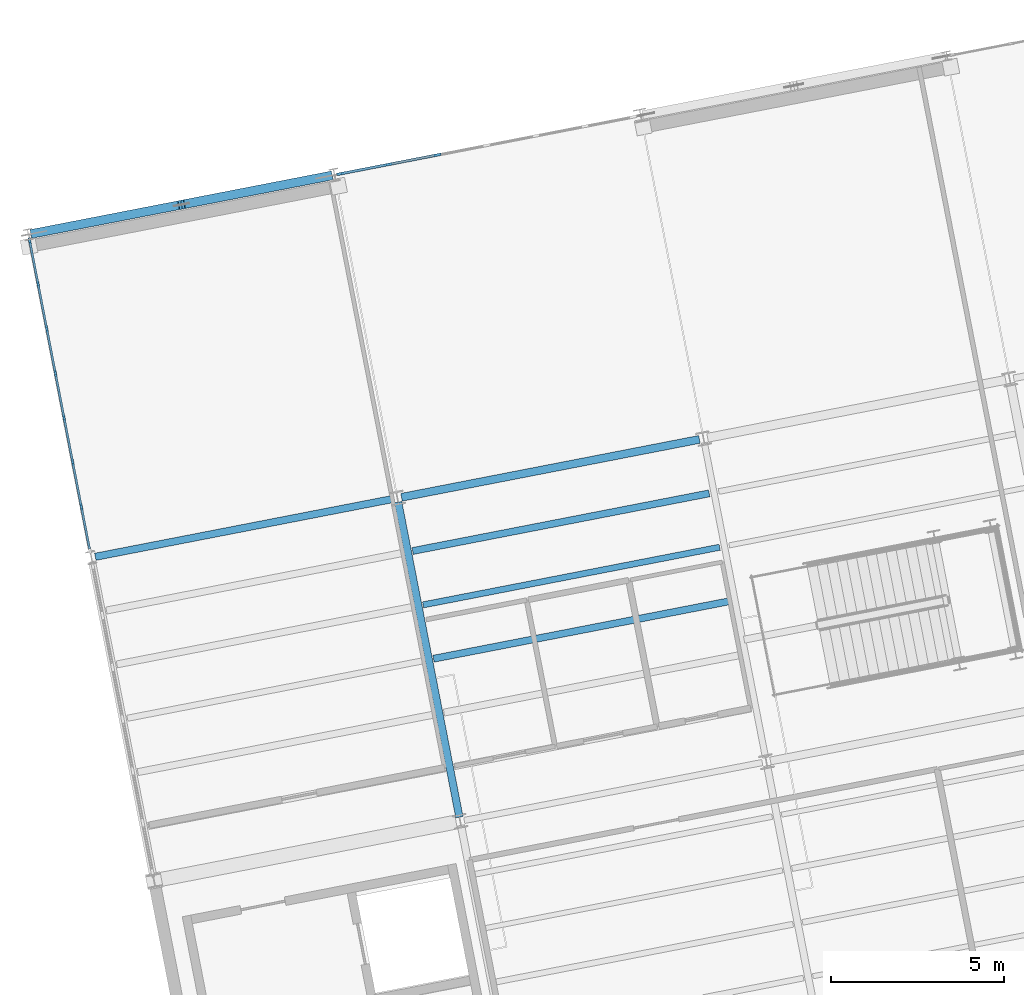
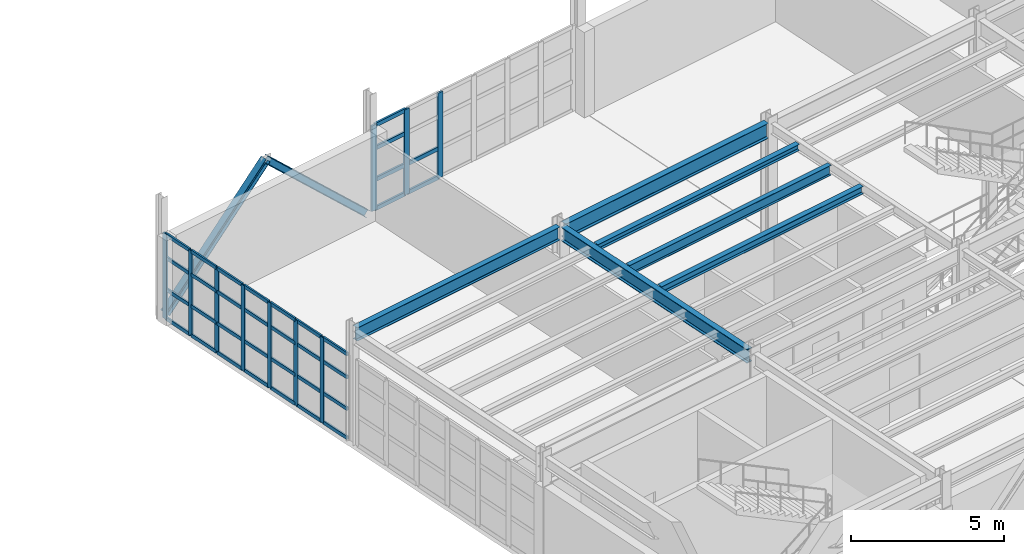
# One storey, part 22 of 109: 46 members, 6 beams, 2 elements without a shape of their own.
"""IFC4 building model written with IfcOpenShell, lengths in metres."""

from ifc_helpers import new_model, si_unit, direction, frame, origin, origin_2d, place, context, subcontext, project, spatial, rectangle, i_section, extrude, material, layer, layer_set, material_profile, profile_set, type_object, element, aggregate, save


model = new_model("IFC4")

# Units and contexts
model_context = context("Model", 3, precision=1e-05, world=origin(), true_north=direction((0.0, 1.0)))
body_context = subcontext(model_context, "Body", "Model", "MODEL_VIEW")
ifc_project = project(units=[si_unit("LENGTHUNIT", "METRE"), si_unit("AREAUNIT", "SQUARE_METRE"), si_unit("VOLUMEUNIT", "CUBIC_METRE"), si_unit("PLANEANGLEUNIT", "RADIAN"), si_unit("MASSUNIT", "GRAM", prefix="KILO")], contexts=[model_context])

# Site, building, storey
site_placement = place(None, origin())
site = spatial("IfcSite", under=ifc_project, at=site_placement, CompositionType="ELEMENT")
building_placement = place(site_placement, origin())
building = spatial("IfcBuilding", under=site, at=building_placement, Name="Vireo Bluff Cable Station", CompositionType="ELEMENT")
storey_placement = place(building_placement, frame((0.0, 0.0, 4.800048828125)))
storey = spatial("IfcBuildingStorey", under=building, at=storey_placement, Name="L01", CompositionType="ELEMENT", Elevation=4.800048828125)

# Beam
ifc_material_1 = material(Name="Steel ASTM A992 Gr. 50", Category="steel")
ifc_material_profile_1 = material_profile(ifc_material_1, i_section(OverallWidth=0.214111328125, OverallDepth=0.549072265625, WebThickness=0.0146484375, FlangeThickness=0.023681640625, FilletRadius=0.012939453125, at=origin_2d()), Name="W21X93")
ifc_profile_set_1 = profile_set([ifc_material_profile_1], Name="Steel ASTM A992 Gr. 50")
beam_type_1 = type_object("IfcBeamType", Name="BM-W21X93", PredefinedType="BEAM", material=ifc_profile_set_1)
beam_1_placement = place(storey_placement, frame((16.4990234375, 16.66064453125, 4.265380859375), z_axis=(-0.190804735679, 0.981628011439, 0.0), x_axis=(-0.981628011439, -0.190804735679, 0.0)))
element("IfcBeam", 1, at=beam_1_placement, inside=storey, type_object=beam_type_1, Name="V5 L01 beam 1207", PredefinedType="BEAM", context=body_context, shape_type="SweptSolid", body=[
    extrude(i_section(OverallWidth=0.214111328125, OverallDepth=0.549072265625, WebThickness=0.0146484375, FlangeThickness=0.023681640625, FilletRadius=0.012939453125, at=origin_2d()), origin(), (0.0, 0.0, 1.0), 9.260009765625),
])

# Members
ifc_material_profile_2 = material_profile(ifc_material_1, i_section(OverallWidth=0.2548828125, OverallDepth=0.256103515625, WebThickness=0.009521484375, FlangeThickness=0.015625, FilletRadius=0.009033203125, at=origin_2d()), Name="W10X54")
ifc_profile_set_2 = profile_set([ifc_material_profile_2], Name="Steel ASTM A992 Gr. 50")
member_type_1 = type_object("IfcMemberType", Name="BRC-02", PredefinedType="BRACE", material=ifc_profile_set_2)
member_1_placement = place(storey_placement, frame((4.218994140625, 33.5068359375, 0.0400390625), z_axis=(0.710296245471, 0.138070192816, 0.690228850111), x_axis=(-0.190812443151, 0.981626513262, 0.0)))
element("IfcMember", 2, at=member_1_placement, inside=storey, type_object=member_type_1, Name="V5 L01 concentric brace 91L", PredefinedType="BRACE", context=body_context, shape_type="SweptSolid", body=[
    extrude(i_section(OverallWidth=0.2548828125, OverallDepth=0.256103515625, WebThickness=0.009521484375, FlangeThickness=0.015625, FilletRadius=0.009033203125, at=origin_2d()), origin(), (0.0, 0.0, 1.0), 5.997802734375),
])
ifc_material_profile_3 = material_profile(ifc_material_1, i_section(OverallWidth=0.257080078125, OverallDepth=0.263916015625, WebThickness=0.011962890625, FlangeThickness=0.01953125, FilletRadius=0.009033203125, at=origin_2d()), Name="W10X68")
ifc_profile_set_3 = profile_set([ifc_material_profile_3], Name="Steel ASTM A992 Gr. 50")
member_type_2 = type_object("IfcMemberType", Name="BRC-03", PredefinedType="BRACE", material=ifc_profile_set_3)
member_2_placement = place(storey_placement, frame((12.739501953125, 35.1630859375, 0.0400390625), z_axis=(-0.710296245471, -0.138070192816, 0.690228850111), x_axis=(0.190812443151, -0.981626513262, 0.0)))
element("IfcMember", 3, at=member_2_placement, inside=storey, type_object=member_type_2, Name="V5 L01 concentric brace 92R", PredefinedType="BRACE", context=body_context, shape_type="SweptSolid", body=[
    extrude(i_section(OverallWidth=0.257080078125, OverallDepth=0.263916015625, WebThickness=0.011962890625, FlangeThickness=0.01953125, FilletRadius=0.009033203125, at=origin_2d()), origin(), (0.0, 0.0, 1.0), 5.997802734375),
])

# Curtain wall, members
ifc_material_2 = material(Name="Anodized Aluminium 6063-T6", Category="aluminium")
ifc_layer_1 = layer(ifc_material_2, 0.179931640625, Name="Anodized Aluminium 6063-T6")
ifc_layer_set_1 = layer_set([ifc_layer_1], Name="Anodized Aluminium 6063-T6")
curtain_wall_type_1 = type_object("IfcCurtainWallType", Name="CW-UNIT-1400", PredefinedType="USERDEFINED", material=ifc_layer_set_1)
curtain_wall_1_placement = place(storey_placement, origin())
curtain_wall_1 = element("IfcCurtainWall", 4, at=curtain_wall_1_placement, inside=storey, type_object=curtain_wall_type_1, Name="V5 L01 west curtain wall CW-120", ObjectType="UNITISED CURTAIN WALL", PredefinedType="USERDEFINED")
ifc_material_profile_4 = material_profile(ifc_material_2, rectangle(XDim=0.06494140625, YDim=0.179931640625, at=origin_2d()), Name="ALU-M-65X180")
ifc_profile_set_4 = profile_set([ifc_material_profile_4], Name="Anodized Aluminium 6063-T6")
member_type_3 = type_object("IfcMemberType", Name="CWM-01", PredefinedType="MULLION", material=ifc_profile_set_4)
member_3_placement = place(storey_placement, frame((5.58984375, 25.615478515625, 0.0), z_axis=(0.0, 0.0, 1.0), x_axis=(-0.981627182565, -0.190808999917, 0.0)))
member_3 = element("IfcMember", 5, at=member_3_placement, type_object=member_type_3, Name="CW-120 mullion 2", PredefinedType="MULLION", context=body_context, shape_type="SweptSolid", body=[
    extrude(rectangle(XDim=0.06494140625, YDim=0.179931640625, at=origin_2d()), origin(), (0.0, 0.0, 1.0), 3.39990234375),
])
member_4_placement = place(storey_placement, frame((5.34033203125, 26.89990234375, 0.0), z_axis=(0.0, 0.0, 1.0), x_axis=(-0.981627182565, -0.190808999917, 0.0)))
member_4 = element("IfcMember", 6, at=member_4_placement, type_object=member_type_3, Name="CW-120 mullion 3", PredefinedType="MULLION", context=body_context, shape_type="SweptSolid", body=[
    extrude(rectangle(XDim=0.06494140625, YDim=0.179931640625, at=origin_2d()), origin(), (0.0, 0.0, 1.0), 3.39990234375),
])
member_5_placement = place(storey_placement, frame((5.090576171875, 28.184326171875, 0.0), z_axis=(0.0, 0.0, 1.0), x_axis=(-0.981627182565, -0.190808999917, 0.0)))
member_5 = element("IfcMember", 7, at=member_5_placement, type_object=member_type_3, Name="CW-120 mullion 4", PredefinedType="MULLION", context=body_context, shape_type="SweptSolid", body=[
    extrude(rectangle(XDim=0.06494140625, YDim=0.179931640625, at=origin_2d()), origin(), (0.0, 0.0, 1.0), 3.39990234375),
])
member_6_placement = place(storey_placement, frame((4.8408203125, 29.468994140625, 0.0), z_axis=(0.0, 0.0, 1.0), x_axis=(-0.981627182565, -0.190808999917, 0.0)))
member_6 = element("IfcMember", 8, at=member_6_placement, type_object=member_type_3, Name="CW-120 mullion 5", PredefinedType="MULLION", context=body_context, shape_type="SweptSolid", body=[
    extrude(rectangle(XDim=0.06494140625, YDim=0.179931640625, at=origin_2d()), origin(), (0.0, 0.0, 1.0), 3.39990234375),
])
member_7_placement = place(storey_placement, frame((4.59130859375, 30.75341796875, 0.0), z_axis=(0.0, 0.0, 1.0), x_axis=(-0.981627182565, -0.190808999917, 0.0)))
member_7 = element("IfcMember", 9, at=member_7_placement, type_object=member_type_3, Name="CW-120 mullion 6", PredefinedType="MULLION", context=body_context, shape_type="SweptSolid", body=[
    extrude(rectangle(XDim=0.06494140625, YDim=0.179931640625, at=origin_2d()), origin(), (0.0, 0.0, 1.0), 3.39990234375),
])
member_8_placement = place(storey_placement, frame((4.341552734375, 32.037841796875, 0.0), z_axis=(0.0, 0.0, 1.0), x_axis=(-0.981627182565, -0.190808999917, 0.0)))
member_8 = element("IfcMember", 10, at=member_8_placement, type_object=member_type_3, Name="CW-120 mullion 7", PredefinedType="MULLION", context=body_context, shape_type="SweptSolid", body=[
    extrude(rectangle(XDim=0.06494140625, YDim=0.179931640625, at=origin_2d()), origin(), (0.0, 0.0, 1.0), 3.39990234375),
])
member_9_placement = place(storey_placement, frame((4.09814453125, 33.290283203125, 0.0), z_axis=(0.0, 0.0, 1.0), x_axis=(-0.981627182565, -0.190808999917, 0.0)))
member_9 = element("IfcMember", 11, at=member_9_placement, type_object=member_type_3, Name="CW-120 mullion 8", PredefinedType="MULLION", context=body_context, shape_type="SweptSolid", body=[
    extrude(rectangle(XDim=0.06494140625, YDim=0.179931640625, at=origin_2d()), origin(), (0.0, 0.0, 1.0), 3.39990234375),
])

ifc_layer_2 = layer(ifc_material_2, 0.179931640625, Name="Anodized Aluminium 6063-T6")
ifc_layer_set_2 = layer_set([ifc_layer_2], Name="Anodized Aluminium 6063-T6")
curtain_wall_type_2 = type_object("IfcCurtainWallType", Name="CW-UNIT-1500", PredefinedType="USERDEFINED", material=ifc_layer_set_2)
curtain_wall_2_placement = place(storey_placement, origin())
curtain_wall_2 = element("IfcCurtainWall", 12, at=curtain_wall_2_placement, inside=storey, type_object=curtain_wall_type_2, Name="V5 L01 north curtain wall CW-121", ObjectType="UNITISED CURTAIN WALL", PredefinedType="USERDEFINED")
ifc_material_profile_5 = material_profile(ifc_material_2, rectangle(XDim=0.074951171875, YDim=0.2099609375, at=origin_2d()), Name="ALU-M-75X210")
ifc_profile_set_5 = profile_set([ifc_material_profile_5], Name="Anodized Aluminium 6063-T6")
member_type_4 = type_object("IfcMemberType", Name="CWM-02", PredefinedType="MULLION", material=ifc_profile_set_5)
member_10_placement = place(storey_placement, frame((13.0615234375, 35.225830078125, 0.0), z_axis=(0.0, 0.0, 1.0), x_axis=(-0.190808984446, 0.981627185572, 0.0)))
member_10 = element("IfcMember", 13, at=member_10_placement, type_object=member_type_4, Name="CW-121 mullion 1", PredefinedType="MULLION", context=body_context, shape_type="SweptSolid", body=[
    extrude(rectangle(XDim=0.074951171875, YDim=0.2099609375, at=origin_2d()), origin(), (0.0, 0.0, 1.0), 3.39990234375),
])
member_11_placement = place(storey_placement, frame((14.445068359375, 35.49462890625, 0.0), z_axis=(0.0, 0.0, 1.0), x_axis=(-0.190808984446, 0.981627185572, 0.0)))
member_11 = element("IfcMember", 14, at=member_11_placement, type_object=member_type_4, Name="CW-121 mullion 2", PredefinedType="MULLION", context=body_context, shape_type="SweptSolid", body=[
    extrude(rectangle(XDim=0.074951171875, YDim=0.2099609375, at=origin_2d()), origin(), (0.0, 0.0, 1.0), 3.39990234375),
])
member_12_placement = place(storey_placement, frame((15.86572265625, 35.770751953125, 0.0), z_axis=(0.0, 0.0, 1.0), x_axis=(-0.190808984446, 0.981627185572, 0.0)))
member_12 = element("IfcMember", 15, at=member_12_placement, type_object=member_type_4, Name="CW-121 mullion 3", PredefinedType="MULLION", context=body_context, shape_type="SweptSolid", body=[
    extrude(rectangle(XDim=0.074951171875, YDim=0.2099609375, at=origin_2d()), origin(), (0.0, 0.0, 1.0), 3.39990234375),
])

# Member
ifc_material_profile_6 = material_profile(ifc_material_2, rectangle(XDim=0.06494140625, YDim=0.139892578125, at=origin_2d()), Name="ALU-T-65X140")
ifc_profile_set_6 = profile_set([ifc_material_profile_6], Name="Anodized Aluminium 6063-T6")
member_type_5 = type_object("IfcMemberType", Name="CWT-01", PredefinedType="USERDEFINED", material=ifc_profile_set_6)
member_13_placement = place(storey_placement, frame((5.8271484375, 24.394775390625, 0.032470703125), z_axis=(-0.190723957489, 0.981643709316, 0.0), x_axis=(-0.981643709316, -0.190723957489, 0.0)))
member_13 = element("IfcMember", 16, at=member_13_placement, type_object=member_type_5, Name="CW-120 transom 1.1", ObjectType="TRANSOM", PredefinedType="USERDEFINED", context=body_context, shape_type="SweptSolid", body=[
    extrude(rectangle(XDim=0.06494140625, YDim=0.139892578125, at=origin_2d()), origin(), (0.0, 0.0, 1.0), 1.2109375),
])

member_14_placement = place(storey_placement, frame((5.8271484375, 24.394775390625, 1.18994140625), z_axis=(-0.190723957489, 0.981643709316, 0.0), x_axis=(-0.981643709316, -0.190723957489, 0.0)))
member_14 = element("IfcMember", 17, at=member_14_placement, type_object=member_type_5, Name="CW-120 transom 1.2", ObjectType="TRANSOM", PredefinedType="USERDEFINED", context=body_context, shape_type="SweptSolid", body=[
    extrude(rectangle(XDim=0.06494140625, YDim=0.139892578125, at=origin_2d()), origin(), (0.0, 0.0, 1.0), 1.2109375),
])

member_15_placement = place(storey_placement, frame((5.8271484375, 24.394775390625, 2.447998046875), z_axis=(-0.190723957489, 0.981643709316, 0.0), x_axis=(-0.981643709316, -0.190723957489, 0.0)))
member_15 = element("IfcMember", 18, at=member_15_placement, type_object=member_type_5, Name="CW-120 transom 1.3", ObjectType="TRANSOM", PredefinedType="USERDEFINED", context=body_context, shape_type="SweptSolid", body=[
    extrude(rectangle(XDim=0.06494140625, YDim=0.139892578125, at=origin_2d()), origin(), (0.0, 0.0, 1.0), 1.2109375),
])

member_16_placement = place(storey_placement, frame((5.8271484375, 24.394775390625, 3.367431640625), z_axis=(-0.190723957489, 0.981643709316, 0.0), x_axis=(-0.981643709316, -0.190723957489, 0.0)))
member_16 = element("IfcMember", 19, at=member_16_placement, type_object=member_type_5, Name="CW-120 transom 1.4", ObjectType="TRANSOM", PredefinedType="USERDEFINED", context=body_context, shape_type="SweptSolid", body=[
    extrude(rectangle(XDim=0.06494140625, YDim=0.139892578125, at=origin_2d()), origin(), (0.0, 0.0, 1.0), 1.2109375),
])

member_17_placement = place(storey_placement, frame((5.583740234375, 25.6474609375, 0.032470703125), z_axis=(-0.190827620624, 0.981623562883, 0.0), x_axis=(-0.981623562883, -0.190827620624, 0.0)))
member_17 = element("IfcMember", 20, at=member_17_placement, type_object=member_type_5, Name="CW-120 transom 2.1", ObjectType="TRANSOM", PredefinedType="USERDEFINED", context=body_context, shape_type="SweptSolid", body=[
    extrude(rectangle(XDim=0.06494140625, YDim=0.139892578125, at=origin_2d()), origin(), (0.0, 0.0, 1.0), 1.24365234375),
])

member_18_placement = place(storey_placement, frame((5.583740234375, 25.6474609375, 1.18994140625), z_axis=(-0.190827620624, 0.981623562883, 0.0), x_axis=(-0.981623562883, -0.190827620624, 0.0)))
member_18 = element("IfcMember", 21, at=member_18_placement, type_object=member_type_5, Name="CW-120 transom 2.2", ObjectType="TRANSOM", PredefinedType="USERDEFINED", context=body_context, shape_type="SweptSolid", body=[
    extrude(rectangle(XDim=0.06494140625, YDim=0.139892578125, at=origin_2d()), origin(), (0.0, 0.0, 1.0), 1.24365234375),
])

member_19_placement = place(storey_placement, frame((5.583740234375, 25.6474609375, 2.447998046875), z_axis=(-0.190827620624, 0.981623562883, 0.0), x_axis=(-0.981623562883, -0.190827620624, 0.0)))
member_19 = element("IfcMember", 22, at=member_19_placement, type_object=member_type_5, Name="CW-120 transom 2.3", ObjectType="TRANSOM", PredefinedType="USERDEFINED", context=body_context, shape_type="SweptSolid", body=[
    extrude(rectangle(XDim=0.06494140625, YDim=0.139892578125, at=origin_2d()), origin(), (0.0, 0.0, 1.0), 1.24365234375),
])

member_20_placement = place(storey_placement, frame((5.583740234375, 25.6474609375, 3.367431640625), z_axis=(-0.190827620624, 0.981623562883, 0.0), x_axis=(-0.981623562883, -0.190827620624, 0.0)))
member_20 = element("IfcMember", 23, at=member_20_placement, type_object=member_type_5, Name="CW-120 transom 2.4", ObjectType="TRANSOM", PredefinedType="USERDEFINED", context=body_context, shape_type="SweptSolid", body=[
    extrude(rectangle(XDim=0.06494140625, YDim=0.139892578125, at=origin_2d()), origin(), (0.0, 0.0, 1.0), 1.24365234375),
])

member_21_placement = place(storey_placement, frame((5.333984375, 26.931884765625, 0.032470703125), z_axis=(-0.190827620624, 0.981623562883, 0.0), x_axis=(-0.981623562883, -0.190827620624, 0.0)))
member_21 = element("IfcMember", 24, at=member_21_placement, type_object=member_type_5, Name="CW-120 transom 3.1", ObjectType="TRANSOM", PredefinedType="USERDEFINED", context=body_context, shape_type="SweptSolid", body=[
    extrude(rectangle(XDim=0.06494140625, YDim=0.139892578125, at=origin_2d()), origin(), (0.0, 0.0, 1.0), 1.24365234375),
])

member_22_placement = place(storey_placement, frame((5.333984375, 26.931884765625, 1.18994140625), z_axis=(-0.190827620624, 0.981623562883, 0.0), x_axis=(-0.981623562883, -0.190827620624, 0.0)))
member_22 = element("IfcMember", 25, at=member_22_placement, type_object=member_type_5, Name="CW-120 transom 3.2", ObjectType="TRANSOM", PredefinedType="USERDEFINED", context=body_context, shape_type="SweptSolid", body=[
    extrude(rectangle(XDim=0.06494140625, YDim=0.139892578125, at=origin_2d()), origin(), (0.0, 0.0, 1.0), 1.24365234375),
])

member_23_placement = place(storey_placement, frame((5.333984375, 26.931884765625, 2.447998046875), z_axis=(-0.190827620624, 0.981623562883, 0.0), x_axis=(-0.981623562883, -0.190827620624, 0.0)))
member_23 = element("IfcMember", 26, at=member_23_placement, type_object=member_type_5, Name="CW-120 transom 3.3", ObjectType="TRANSOM", PredefinedType="USERDEFINED", context=body_context, shape_type="SweptSolid", body=[
    extrude(rectangle(XDim=0.06494140625, YDim=0.139892578125, at=origin_2d()), origin(), (0.0, 0.0, 1.0), 1.24365234375),
])

member_24_placement = place(storey_placement, frame((5.333984375, 26.931884765625, 3.367431640625), z_axis=(-0.190827620624, 0.981623562883, 0.0), x_axis=(-0.981623562883, -0.190827620624, 0.0)))
member_24 = element("IfcMember", 27, at=member_24_placement, type_object=member_type_5, Name="CW-120 transom 3.4", ObjectType="TRANSOM", PredefinedType="USERDEFINED", context=body_context, shape_type="SweptSolid", body=[
    extrude(rectangle(XDim=0.06494140625, YDim=0.139892578125, at=origin_2d()), origin(), (0.0, 0.0, 1.0), 1.24365234375),
])

member_25_placement = place(storey_placement, frame((5.08447265625, 28.21630859375, 0.032470703125), z_axis=(-0.190827620624, 0.981623562883, 0.0), x_axis=(-0.981623562883, -0.190827620624, 0.0)))
member_25 = element("IfcMember", 28, at=member_25_placement, type_object=member_type_5, Name="CW-120 transom 4.1", ObjectType="TRANSOM", PredefinedType="USERDEFINED", context=body_context, shape_type="SweptSolid", body=[
    extrude(rectangle(XDim=0.06494140625, YDim=0.139892578125, at=origin_2d()), origin(), (0.0, 0.0, 1.0), 1.24365234375),
])

member_26_placement = place(storey_placement, frame((5.08447265625, 28.21630859375, 1.18994140625), z_axis=(-0.190827620624, 0.981623562883, 0.0), x_axis=(-0.981623562883, -0.190827620624, 0.0)))
member_26 = element("IfcMember", 29, at=member_26_placement, type_object=member_type_5, Name="CW-120 transom 4.2", ObjectType="TRANSOM", PredefinedType="USERDEFINED", context=body_context, shape_type="SweptSolid", body=[
    extrude(rectangle(XDim=0.06494140625, YDim=0.139892578125, at=origin_2d()), origin(), (0.0, 0.0, 1.0), 1.24365234375),
])

member_27_placement = place(storey_placement, frame((5.08447265625, 28.21630859375, 2.447998046875), z_axis=(-0.190827620624, 0.981623562883, 0.0), x_axis=(-0.981623562883, -0.190827620624, 0.0)))
member_27 = element("IfcMember", 30, at=member_27_placement, type_object=member_type_5, Name="CW-120 transom 4.3", ObjectType="TRANSOM", PredefinedType="USERDEFINED", context=body_context, shape_type="SweptSolid", body=[
    extrude(rectangle(XDim=0.06494140625, YDim=0.139892578125, at=origin_2d()), origin(), (0.0, 0.0, 1.0), 1.24365234375),
])

member_28_placement = place(storey_placement, frame((5.08447265625, 28.21630859375, 3.367431640625), z_axis=(-0.190827620624, 0.981623562883, 0.0), x_axis=(-0.981623562883, -0.190827620624, 0.0)))
member_28 = element("IfcMember", 31, at=member_28_placement, type_object=member_type_5, Name="CW-120 transom 4.4", ObjectType="TRANSOM", PredefinedType="USERDEFINED", context=body_context, shape_type="SweptSolid", body=[
    extrude(rectangle(XDim=0.06494140625, YDim=0.139892578125, at=origin_2d()), origin(), (0.0, 0.0, 1.0), 1.24365234375),
])

member_29_placement = place(storey_placement, frame((4.834716796875, 29.500732421875, 0.032470703125), z_axis=(-0.190827620624, 0.981623562883, 0.0), x_axis=(-0.981623562883, -0.190827620624, 0.0)))
member_29 = element("IfcMember", 32, at=member_29_placement, type_object=member_type_5, Name="CW-120 transom 5.1", ObjectType="TRANSOM", PredefinedType="USERDEFINED", context=body_context, shape_type="SweptSolid", body=[
    extrude(rectangle(XDim=0.06494140625, YDim=0.139892578125, at=origin_2d()), origin(), (0.0, 0.0, 1.0), 1.24365234375),
])

member_30_placement = place(storey_placement, frame((4.834716796875, 29.500732421875, 1.18994140625), z_axis=(-0.190827620624, 0.981623562883, 0.0), x_axis=(-0.981623562883, -0.190827620624, 0.0)))
member_30 = element("IfcMember", 33, at=member_30_placement, type_object=member_type_5, Name="CW-120 transom 5.2", ObjectType="TRANSOM", PredefinedType="USERDEFINED", context=body_context, shape_type="SweptSolid", body=[
    extrude(rectangle(XDim=0.06494140625, YDim=0.139892578125, at=origin_2d()), origin(), (0.0, 0.0, 1.0), 1.24365234375),
])

member_31_placement = place(storey_placement, frame((4.834716796875, 29.500732421875, 2.447998046875), z_axis=(-0.190827620624, 0.981623562883, 0.0), x_axis=(-0.981623562883, -0.190827620624, 0.0)))
member_31 = element("IfcMember", 34, at=member_31_placement, type_object=member_type_5, Name="CW-120 transom 5.3", ObjectType="TRANSOM", PredefinedType="USERDEFINED", context=body_context, shape_type="SweptSolid", body=[
    extrude(rectangle(XDim=0.06494140625, YDim=0.139892578125, at=origin_2d()), origin(), (0.0, 0.0, 1.0), 1.24365234375),
])

member_32_placement = place(storey_placement, frame((4.834716796875, 29.500732421875, 3.367431640625), z_axis=(-0.190827620624, 0.981623562883, 0.0), x_axis=(-0.981623562883, -0.190827620624, 0.0)))
member_32 = element("IfcMember", 35, at=member_32_placement, type_object=member_type_5, Name="CW-120 transom 5.4", ObjectType="TRANSOM", PredefinedType="USERDEFINED", context=body_context, shape_type="SweptSolid", body=[
    extrude(rectangle(XDim=0.06494140625, YDim=0.139892578125, at=origin_2d()), origin(), (0.0, 0.0, 1.0), 1.24365234375),
])

member_33_placement = place(storey_placement, frame((4.5849609375, 30.78515625, 0.032470703125), z_axis=(-0.190827620624, 0.981623562883, 0.0), x_axis=(-0.981623562883, -0.190827620624, 0.0)))
member_33 = element("IfcMember", 36, at=member_33_placement, type_object=member_type_5, Name="CW-120 transom 6.1", ObjectType="TRANSOM", PredefinedType="USERDEFINED", context=body_context, shape_type="SweptSolid", body=[
    extrude(rectangle(XDim=0.06494140625, YDim=0.139892578125, at=origin_2d()), origin(), (0.0, 0.0, 1.0), 1.24365234375),
])

member_34_placement = place(storey_placement, frame((4.5849609375, 30.78515625, 1.18994140625), z_axis=(-0.190827620624, 0.981623562883, 0.0), x_axis=(-0.981623562883, -0.190827620624, 0.0)))
member_34 = element("IfcMember", 37, at=member_34_placement, type_object=member_type_5, Name="CW-120 transom 6.2", ObjectType="TRANSOM", PredefinedType="USERDEFINED", context=body_context, shape_type="SweptSolid", body=[
    extrude(rectangle(XDim=0.06494140625, YDim=0.139892578125, at=origin_2d()), origin(), (0.0, 0.0, 1.0), 1.24365234375),
])

member_35_placement = place(storey_placement, frame((4.5849609375, 30.78515625, 2.447998046875), z_axis=(-0.190827620624, 0.981623562883, 0.0), x_axis=(-0.981623562883, -0.190827620624, 0.0)))
member_35 = element("IfcMember", 38, at=member_35_placement, type_object=member_type_5, Name="CW-120 transom 6.3", ObjectType="TRANSOM", PredefinedType="USERDEFINED", context=body_context, shape_type="SweptSolid", body=[
    extrude(rectangle(XDim=0.06494140625, YDim=0.139892578125, at=origin_2d()), origin(), (0.0, 0.0, 1.0), 1.24365234375),
])

member_36_placement = place(storey_placement, frame((4.5849609375, 30.78515625, 3.367431640625), z_axis=(-0.190827620624, 0.981623562883, 0.0), x_axis=(-0.981623562883, -0.190827620624, 0.0)))
member_36 = element("IfcMember", 39, at=member_36_placement, type_object=member_type_5, Name="CW-120 transom 6.4", ObjectType="TRANSOM", PredefinedType="USERDEFINED", context=body_context, shape_type="SweptSolid", body=[
    extrude(rectangle(XDim=0.06494140625, YDim=0.139892578125, at=origin_2d()), origin(), (0.0, 0.0, 1.0), 1.24365234375),
])

member_37_placement = place(storey_placement, frame((4.33544921875, 32.06982421875, 0.032470703125), z_axis=(-0.190918223504, 0.981605945344, 0.0), x_axis=(-0.981605945344, -0.190918223504, 0.0)))
member_37 = element("IfcMember", 40, at=member_37_placement, type_object=member_type_5, Name="CW-120 transom 7.1", ObjectType="TRANSOM", PredefinedType="USERDEFINED", context=body_context, shape_type="SweptSolid", body=[
    extrude(rectangle(XDim=0.06494140625, YDim=0.139892578125, at=origin_2d()), origin(), (0.0, 0.0, 1.0), 1.2109375),
])

member_38_placement = place(storey_placement, frame((4.33544921875, 32.06982421875, 1.18994140625), z_axis=(-0.190918223504, 0.981605945344, 0.0), x_axis=(-0.981605945344, -0.190918223504, 0.0)))
member_38 = element("IfcMember", 41, at=member_38_placement, type_object=member_type_5, Name="CW-120 transom 7.2", ObjectType="TRANSOM", PredefinedType="USERDEFINED", context=body_context, shape_type="SweptSolid", body=[
    extrude(rectangle(XDim=0.06494140625, YDim=0.139892578125, at=origin_2d()), origin(), (0.0, 0.0, 1.0), 1.2109375),
])

member_39_placement = place(storey_placement, frame((4.33544921875, 32.06982421875, 2.447998046875), z_axis=(-0.190918223504, 0.981605945344, 0.0), x_axis=(-0.981605945344, -0.190918223504, 0.0)))
member_39 = element("IfcMember", 42, at=member_39_placement, type_object=member_type_5, Name="CW-120 transom 7.3", ObjectType="TRANSOM", PredefinedType="USERDEFINED", context=body_context, shape_type="SweptSolid", body=[
    extrude(rectangle(XDim=0.06494140625, YDim=0.139892578125, at=origin_2d()), origin(), (0.0, 0.0, 1.0), 1.2109375),
])

member_40_placement = place(storey_placement, frame((4.33544921875, 32.06982421875, 3.367431640625), z_axis=(-0.190918223504, 0.981605945344, 0.0), x_axis=(-0.981605945344, -0.190918223504, 0.0)))
member_40 = element("IfcMember", 43, at=member_40_placement, type_object=member_type_5, Name="CW-120 transom 7.4", ObjectType="TRANSOM", PredefinedType="USERDEFINED", context=body_context, shape_type="SweptSolid", body=[
    extrude(rectangle(XDim=0.06494140625, YDim=0.139892578125, at=origin_2d()), origin(), (0.0, 0.0, 1.0), 1.2109375),
])

aggregate(curtain_wall_1, [member_3, member_4, member_5, member_6, member_7, member_8, member_9, member_13, member_14, member_15, member_16, member_17, member_18, member_19, member_20, member_21, member_22, member_23, member_24, member_25, member_26, member_27, member_28, member_29, member_30, member_31, member_32, member_33, member_34, member_35, member_36, member_37, member_38, member_39, member_40])

ifc_material_profile_7 = material_profile(ifc_material_2, rectangle(XDim=0.074951171875, YDim=0.159912109375, at=origin_2d()), Name="ALU-T-75X160")
ifc_profile_set_7 = profile_set([ifc_material_profile_7], Name="Anodized Aluminium 6063-T6")
member_type_6 = type_object("IfcMemberType", Name="CWT-02", PredefinedType="USERDEFINED", material=ifc_profile_set_7)
member_41_placement = place(storey_placement, frame((13.098388671875, 35.23291015625, 0.037353515625), z_axis=(0.981628716361, 0.19080110905, 0.0), x_axis=(-0.19080110905, 0.981628716361, 0.0)))
member_41 = element("IfcMember", 44, at=member_41_placement, type_object=member_type_6, Name="CW-121 transom 1.1", ObjectType="TRANSOM", PredefinedType="USERDEFINED", context=body_context, shape_type="SweptSolid", body=[
    extrude(rectangle(XDim=0.074951171875, YDim=0.159912109375, at=origin_2d()), origin(), (0.0, 0.0, 1.0), 1.33447265625),
])

member_42_placement = place(storey_placement, frame((13.098388671875, 35.23291015625, 1.18994140625), z_axis=(0.981628716361, 0.19080110905, 0.0), x_axis=(-0.19080110905, 0.981628716361, 0.0)))
member_42 = element("IfcMember", 45, at=member_42_placement, type_object=member_type_6, Name="CW-121 transom 1.2", ObjectType="TRANSOM", PredefinedType="USERDEFINED", context=body_context, shape_type="SweptSolid", body=[
    extrude(rectangle(XDim=0.074951171875, YDim=0.159912109375, at=origin_2d()), origin(), (0.0, 0.0, 1.0), 1.33447265625),
])

member_43_placement = place(storey_placement, frame((13.098388671875, 35.23291015625, 2.447998046875), z_axis=(0.981628716361, 0.19080110905, 0.0), x_axis=(-0.19080110905, 0.981628716361, 0.0)))
member_43 = element("IfcMember", 46, at=member_43_placement, type_object=member_type_6, Name="CW-121 transom 1.3", ObjectType="TRANSOM", PredefinedType="USERDEFINED", context=body_context, shape_type="SweptSolid", body=[
    extrude(rectangle(XDim=0.074951171875, YDim=0.159912109375, at=origin_2d()), origin(), (0.0, 0.0, 1.0), 1.33447265625),
])

member_44_placement = place(storey_placement, frame((13.098388671875, 35.23291015625, 3.362548828125), z_axis=(0.981628716361, 0.19080110905, 0.0), x_axis=(-0.19080110905, 0.981628716361, 0.0)))
member_44 = element("IfcMember", 47, at=member_44_placement, type_object=member_type_6, Name="CW-121 transom 1.4", ObjectType="TRANSOM", PredefinedType="USERDEFINED", context=body_context, shape_type="SweptSolid", body=[
    extrude(rectangle(XDim=0.074951171875, YDim=0.159912109375, at=origin_2d()), origin(), (0.0, 0.0, 1.0), 1.33447265625),
])

member_45_placement = place(storey_placement, frame((14.48193359375, 35.501708984375, 0.037353515625), z_axis=(0.981607054743, 0.190912519438, 0.0), x_axis=(-0.190912519438, 0.981607054743, 0.0)))
member_45 = element("IfcMember", 48, at=member_45_placement, type_object=member_type_6, Name="CW-121 transom 2.1", ObjectType="TRANSOM", PredefinedType="USERDEFINED", context=body_context, shape_type="SweptSolid", body=[
    extrude(rectangle(XDim=0.074951171875, YDim=0.159912109375, at=origin_2d()), origin(), (0.0, 0.0, 1.0), 1.3720703125),
])

member_46_placement = place(storey_placement, frame((14.48193359375, 35.501708984375, 1.18994140625), z_axis=(0.981607054743, 0.190912519438, 0.0), x_axis=(-0.190912519438, 0.981607054743, 0.0)))
member_46 = element("IfcMember", 49, at=member_46_placement, type_object=member_type_6, Name="CW-121 transom 2.2", ObjectType="TRANSOM", PredefinedType="USERDEFINED", context=body_context, shape_type="SweptSolid", body=[
    extrude(rectangle(XDim=0.074951171875, YDim=0.159912109375, at=origin_2d()), origin(), (0.0, 0.0, 1.0), 1.3720703125),
])

aggregate(curtain_wall_2, [member_10, member_11, member_12, member_41, member_42, member_43, member_44, member_45, member_46])

# Beams
ifc_material_profile_8 = material_profile(ifc_material_1, i_section(OverallWidth=0.201904296875, OverallDepth=0.2470703125, WebThickness=0.00732421875, FlangeThickness=0.010986328125, FilletRadius=0.009033203125, at=origin_2d()), Name="W10X33")
ifc_profile_set_8 = profile_set([ifc_material_profile_8], Name="Steel ASTM A992 Gr. 50")
beam_type_2 = type_object("IfcBeamType", Name="JST-W10X33", PredefinedType="JOIST", material=ifc_profile_set_8)
beam_2_placement = place(storey_placement, frame((15.14892578125, 24.340576171875, 4.41650390625), z_axis=(0.981621800631, 0.190836685485, 0.0), x_axis=(-0.190836685485, 0.981621800631, 0.0)))
element("IfcBeam", 50, at=beam_2_placement, inside=storey, type_object=beam_type_2, Name="V5 L01 composite joist 1226", PredefinedType="JOIST", context=body_context, shape_type="SweptSolid", body=[
    extrude(i_section(OverallWidth=0.201904296875, OverallDepth=0.2470703125, WebThickness=0.00732421875, FlangeThickness=0.010986328125, FilletRadius=0.009033203125, at=origin_2d()), origin(), (0.0, 0.0, 1.0), 8.7197265625),
])
ifc_material_profile_9 = material_profile(ifc_material_1, i_section(OverallWidth=0.202880859375, OverallDepth=0.302978515625, WebThickness=0.007568359375, FlangeThickness=0.01318359375, FilletRadius=0.010009765625, at=origin_2d()), Name="W12X40")
ifc_profile_set_9 = profile_set([ifc_material_profile_9], Name="Steel ASTM A992 Gr. 50")
beam_type_3 = type_object("IfcBeamType", Name="JST-W12X40", PredefinedType="JOIST", material=ifc_profile_set_9)
beam_3_placement = place(storey_placement, frame((15.7529296875, 21.232177734375, 4.388427734375), z_axis=(0.981628064538, 0.190804462503, 0.0), x_axis=(-0.190804462503, 0.981628064538, 0.0)))
element("IfcBeam", 51, at=beam_3_placement, inside=storey, type_object=beam_type_3, Name="V5 L01 composite joist 1224", PredefinedType="JOIST", context=body_context, shape_type="SweptSolid", body=[
    extrude(i_section(OverallWidth=0.202880859375, OverallDepth=0.302978515625, WebThickness=0.007568359375, FlangeThickness=0.01318359375, FilletRadius=0.010009765625, at=origin_2d()), origin(), (0.0, 0.0, 1.0), 8.719970703125),
])
ifc_material_profile_10 = material_profile(ifc_material_1, i_section(OverallWidth=0.177978515625, OverallDepth=0.404052734375, WebThickness=0.007568359375, FlangeThickness=0.010986328125, FilletRadius=0.010009765625, at=origin_2d()), Name="W16X36")
ifc_profile_set_10 = profile_set([ifc_material_profile_10], Name="Steel ASTM A992 Gr. 50")
beam_type_4 = type_object("IfcBeamType", Name="JST-W16X36", PredefinedType="JOIST", material=ifc_profile_set_10)
beam_4_placement = place(storey_placement, frame((15.450927734375, 22.786376953125, 4.337890625), z_axis=(0.981628064538, 0.190804462503, 0.0), x_axis=(-0.190804462503, 0.981628064538, 0.0)))
element("IfcBeam", 52, at=beam_4_placement, inside=storey, type_object=beam_type_4, Name="V5 L01 composite joist 1225", PredefinedType="JOIST", context=body_context, shape_type="SweptSolid", body=[
    extrude(i_section(OverallWidth=0.177978515625, OverallDepth=0.404052734375, WebThickness=0.007568359375, FlangeThickness=0.010986328125, FilletRadius=0.010009765625, at=origin_2d()), origin(), (0.0, 0.0, 1.0), 8.719970703125),
])
ifc_material_profile_11 = material_profile(ifc_material_1, i_section(OverallWidth=0.2099609375, OverallDepth=0.535888671875, WebThickness=0.010986328125, FlangeThickness=0.017333984375, FilletRadius=0.012939453125, at=origin_2d()), Name="W21X68")
ifc_profile_set_11 = profile_set([ifc_material_profile_11], Name="Steel ASTM A992 Gr. 50")
beam_type_5 = type_object("IfcBeamType", Name="SPN-W21X68", PredefinedType="SPANDREL", material=ifc_profile_set_11)
beam_5_placement = place(storey_placement, frame((5.992431640625, 24.173828125, 4.27197265625), z_axis=(0.981629601573, 0.190796554777, 0.0), x_axis=(-0.190796554777, 0.981629601573, 0.0)))
element("IfcBeam", 53, at=beam_5_placement, inside=storey, type_object=beam_type_5, Name="V5 L01 spandrel 1201", PredefinedType="SPANDREL", context=body_context, shape_type="SweptSolid", body=[
    extrude(i_section(OverallWidth=0.2099609375, OverallDepth=0.535888671875, WebThickness=0.010986328125, FlangeThickness=0.017333984375, FilletRadius=0.012939453125, at=origin_2d()), origin(), (0.0, 0.0, 1.0), 8.760009765625),
])
ifc_material_profile_12 = material_profile(ifc_material_1, i_section(OverallWidth=0.22802734375, OverallDepth=0.60693359375, WebThickness=0.01123046875, FlangeThickness=0.017333984375, FilletRadius=0.012939453125, at=origin_2d()), Name="W24X76")
ifc_profile_set_12 = profile_set([ifc_material_profile_12], Name="Steel ASTM A992 Gr. 50")
beam_type_6 = type_object("IfcBeamType", Name="SPN-W24X76", PredefinedType="SPANDREL", material=ifc_profile_set_12)
beam_6_placement = place(storey_placement, frame((14.8271484375, 25.89111328125, 4.236572265625), z_axis=(0.981628586979, 0.190801774693, 0.0), x_axis=(-0.190801774693, 0.981628586979, 0.0)))
element("IfcBeam", 54, at=beam_6_placement, inside=storey, type_object=beam_type_6, Name="V5 L01 spandrel 1202", PredefinedType="SPANDREL", context=body_context, shape_type="SweptSolid", body=[
    extrude(i_section(OverallWidth=0.22802734375, OverallDepth=0.60693359375, WebThickness=0.01123046875, FlangeThickness=0.017333984375, FilletRadius=0.012939453125, at=origin_2d()), origin(), (0.0, 0.0, 1.0), 8.759765625),
])

save(model, "model.ifc")
